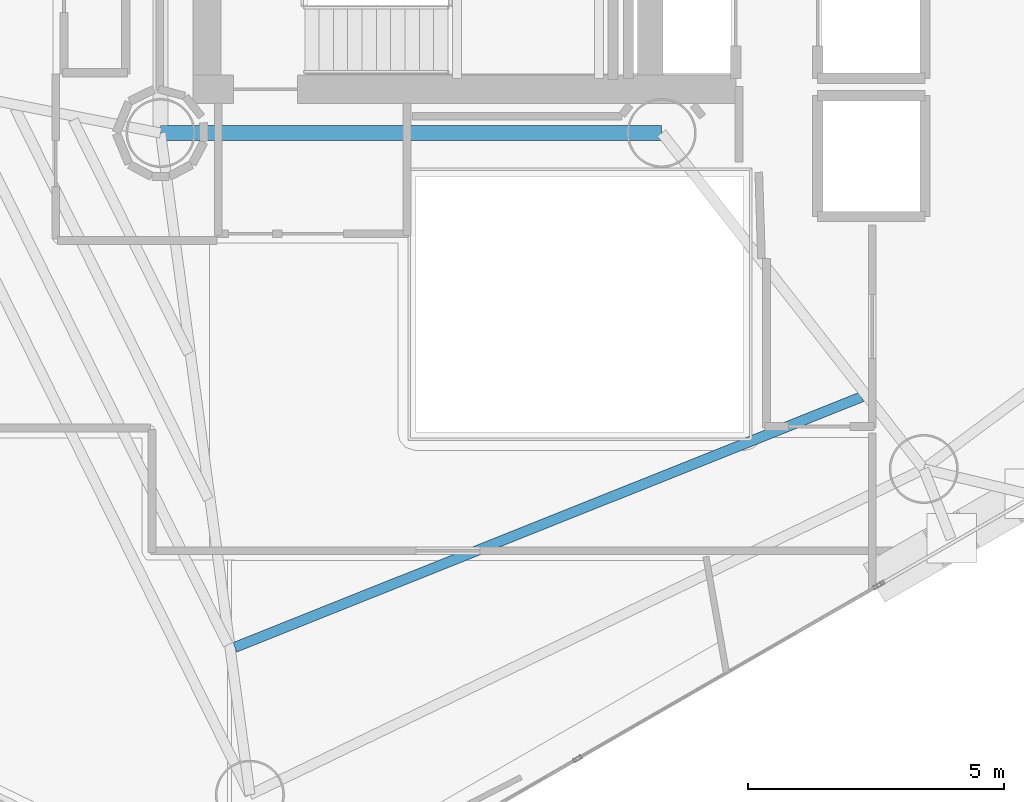
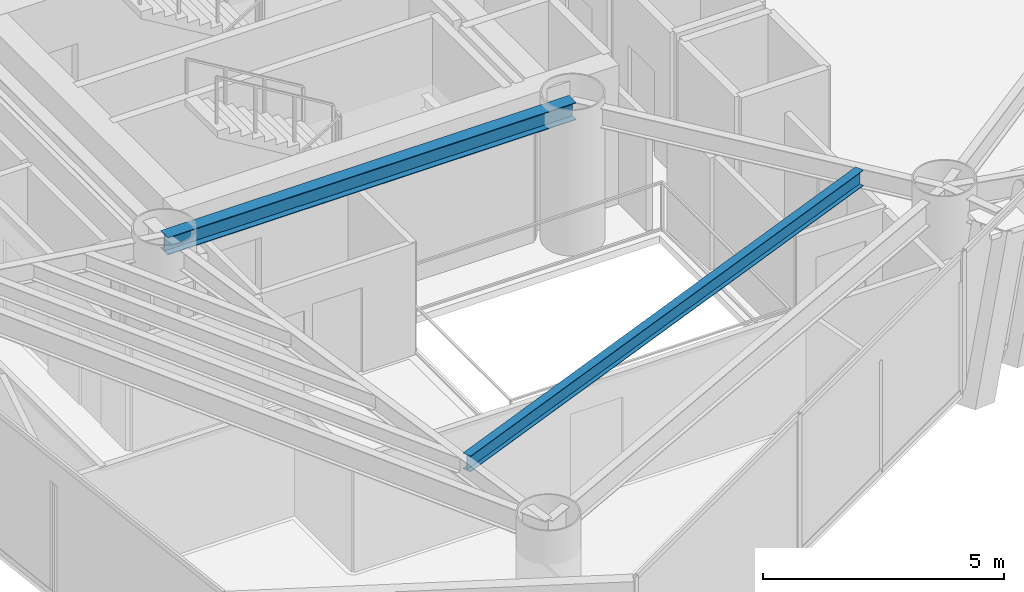
# One storey, part 4 of 22: 2 beams.
"""IFC4 building model written with IfcOpenShell, lengths in metres."""

from ifc_helpers import new_model, si_unit, direction, frame, origin, origin_2d, place, context, subcontext, project, spatial, i_section, extrude, material, material_profile, profile_set, type_object, element, save


model = new_model("IFC4")

# Units and contexts
model_context = context("Model", 3, precision=1e-05, world=origin(), true_north=direction((0.0, 1.0)))
body_context = subcontext(model_context, "Body", "Model", "MODEL_VIEW")
ifc_project = project(units=[si_unit("LENGTHUNIT", "METRE"), si_unit("AREAUNIT", "SQUARE_METRE"), si_unit("VOLUMEUNIT", "CUBIC_METRE"), si_unit("PLANEANGLEUNIT", "RADIAN"), si_unit("MASSUNIT", "GRAM", prefix="KILO")], contexts=[model_context])

# Site, building, storey
site_placement = place(None, origin())
site = spatial("IfcSite", under=ifc_project, at=site_placement, CompositionType="ELEMENT")
building_placement = place(site_placement, origin())
building = spatial("IfcBuilding", under=site, at=building_placement, Name="Qianvela Tower", CompositionType="ELEMENT")
storey_placement = place(building_placement, frame((0.0, 0.0, 169.800048828125)))
storey = spatial("IfcBuildingStorey", under=building, at=storey_placement, Name="L43", CompositionType="ELEMENT", Elevation=169.800048828125)

# Beams
ifc_material_1 = material(Name="Steel Q355B", Category="steel")
ifc_material_profile_1 = material_profile(ifc_material_1, i_section(OverallWidth=0.300048828125, OverallDepth=0.43994140625, WebThickness=0.010986328125, FlangeThickness=0.01806640625, at=origin_2d()), Name="HM440x300x11x18")
ifc_profile_set_1 = profile_set([ifc_material_profile_1], Name="Steel Q355B")
beam_type_1 = type_object("IfcBeamType", Name="BM-HM440-COLL", PredefinedType="BEAM", material=ifc_profile_set_1)
beam_1_placement = place(storey_placement, frame((28.60009765625, 23.85009765625, 3.2978515625), z_axis=(1.0, 0.0, 0.0), x_axis=(0.0, 1.0, 0.0)))
element("IfcBeam", 1, at=beam_1_placement, inside=storey, type_object=beam_type_1, Name="L43 Core Ring Collector Girder CC1", PredefinedType="BEAM", context=body_context, shape_type="SweptSolid", body=[
    extrude(i_section(OverallWidth=0.300048828125, OverallDepth=0.43994140625, WebThickness=0.010986328125, FlangeThickness=0.01806640625, at=origin_2d()), origin(), (0.0, 0.0, 1.0), 9.7998046875),
])
ifc_material_2 = material(Name="Steel Q355B", Category="steel")
ifc_material_profile_2 = material_profile(ifc_material_2, i_section(OverallWidth=0.199951171875, OverallDepth=0.39990234375, WebThickness=0.008056640625, FlangeThickness=0.012939453125, at=origin_2d()), Name="HN400x200x8x13")
ifc_profile_set_2 = profile_set([ifc_material_profile_2], Name="Steel Q355B")
beam_type_2 = type_object("IfcBeamType", Name="BM-HN400-JOIST", PredefinedType="JOIST", material=ifc_profile_set_2)
beam_2_placement = place(storey_placement, frame((30.0517578125, 13.79150390625, 3.31787109375), z_axis=(0.928611849806, 0.371052600584, 0.0), x_axis=(-0.371052600584, 0.928611849806, 0.0)))
element("IfcBeam", 2, at=beam_2_placement, inside=storey, type_object=beam_type_2, Name="L43 Secondary Composite Floor Joist 5.3", PredefinedType="JOIST", context=body_context, shape_type="SweptSolid", body=[
    extrude(i_section(OverallWidth=0.199951171875, OverallDepth=0.39990234375, WebThickness=0.008056640625, FlangeThickness=0.012939453125, at=origin_2d()), origin(), (0.0, 0.0, 1.0), 13.19873046875),
])

save(model, "model.ifc")
